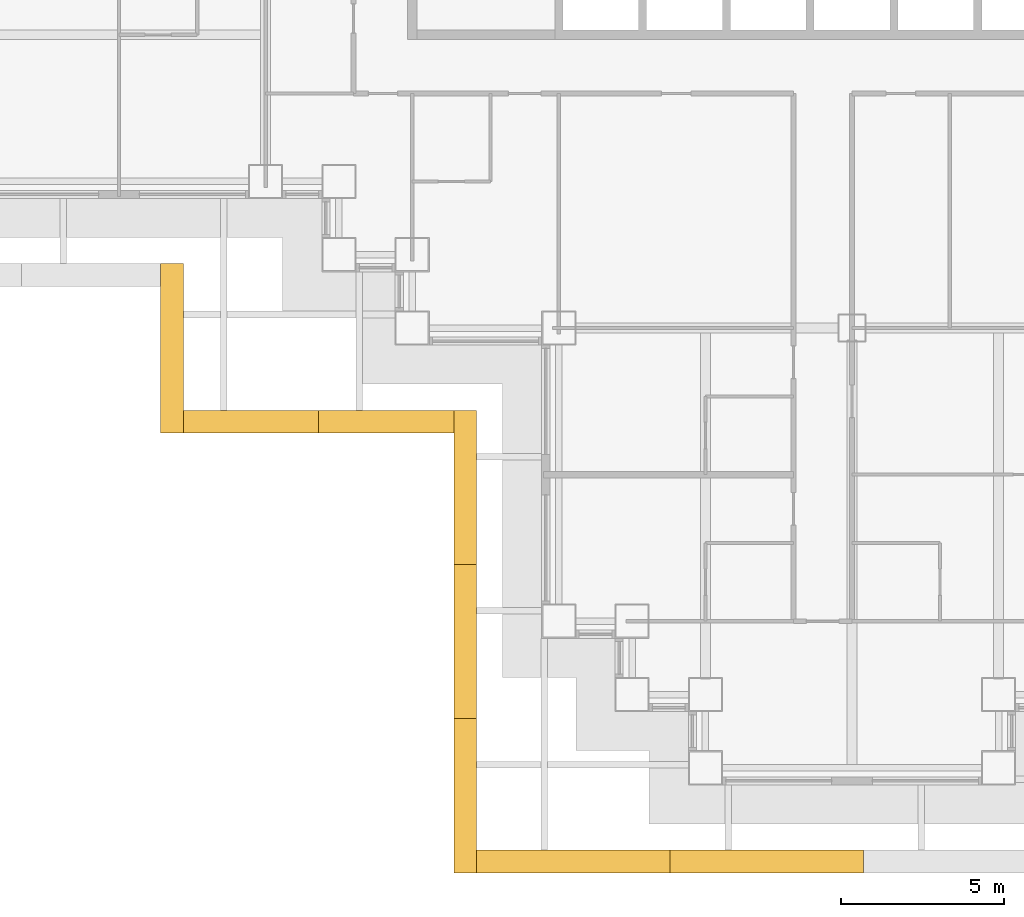
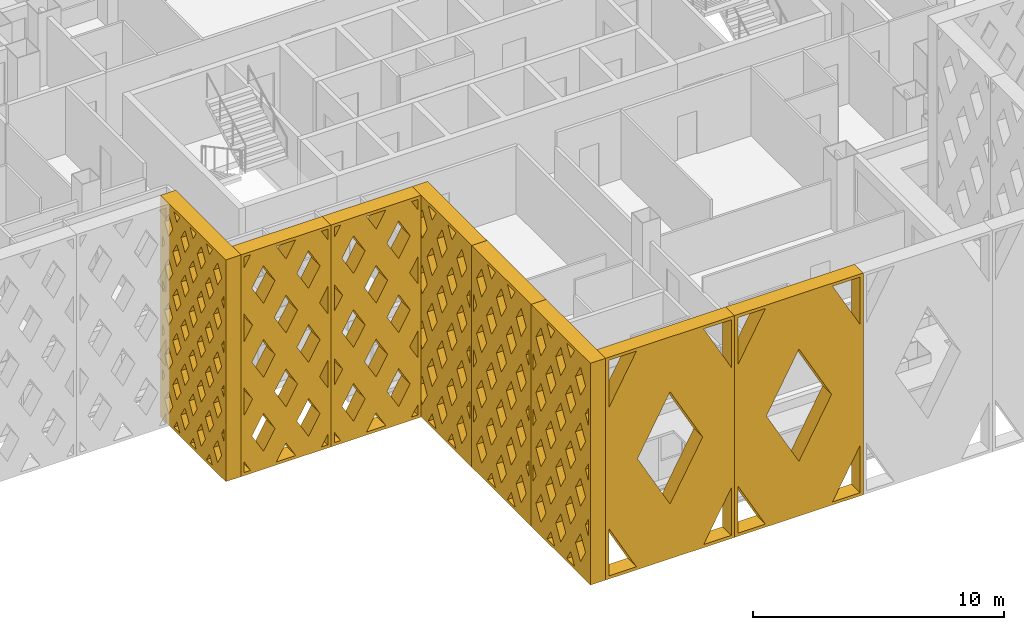
# One storey, part 13 of 19: 8 shading devices.
"""IFC4 building model written with IfcOpenShell, lengths in metres."""

import ifcopenshell
import ifcopenshell.guid

model = None  # the IFC model being written
_history = None  # IfcOwnerHistory: only IFC2X3 demands one
_inside = {}  # id of a spatial element -> (the spatial element, [elements in it])
_under = {}  # id of a project, library or spatial element -> (it, [spatial elements below it])
_declared = {}  # id of a project -> (the project, [libraries it declares])
_typed = {}  # id of a type object -> (the type object, [elements of that type])
_made_of = {}  # id of a material, layer set ... -> (it, [elements and type objects made of it])


def new_model(schema):
    """Start an empty IFC model of exactly this schema.

    Asked for "IFC4X3", IfcOpenShell would pick the latest addendum, in which some entities
    have other attributes; the version numbers below select the first issue.
    IFC2X3 requires an IfcOwnerHistory on every rooted entity: one is made here for all.
    """
    global model, _history
    if schema == "IFC4X3":
        model = ifcopenshell.file(schema_version=(4, 3, 0, 0))
    else:
        model = ifcopenshell.file(schema=schema)
    _inside.clear()
    _under.clear()
    _declared.clear()
    _typed.clear()
    _made_of.clear()
    _history = None
    if model.schema == "IFC2X3":
        org = make("IfcOrganization", Name="unknown")
        user = make(
            "IfcPersonAndOrganization",
            ThePerson=make("IfcPerson", FamilyName="unknown"),
            TheOrganization=org,
        )
        app = make(
            "IfcApplication",
            ApplicationDeveloper=org,
            Version="unknown",
            ApplicationFullName="unknown",
            ApplicationIdentifier="unknown",
        )
        _history = make(
            "IfcOwnerHistory",
            OwningUser=user,
            OwningApplication=app,
            ChangeAction="ADDED",
            CreationDate=0,
        )
    return model


def make(cls, **values):
    """One entity of the class cls with the attributes given. An attribute that is None is left unset."""
    return model.create_entity(
        cls, **{name: value for name, value in values.items() if value is not None}
    )


def rooted(cls, **values):
    """An entity with a GlobalId (a new one), such as an element, a storey or a relation."""
    return make(cls, GlobalId=ifcopenshell.guid.new(), OwnerHistory=_history, **values)


def si_unit(unit_type, name, prefix=None):
    """IfcSIUnit, for example si_unit("LENGTHUNIT", "METRE", prefix="MILLI")."""
    return make("IfcSIUnit", UnitType=unit_type, Prefix=prefix, Name=name)


def assignment(units):
    """IfcUnitAssignment: the units of a project."""
    return None if units is None else make("IfcUnitAssignment", Units=units)


def point(xyz):
    """IfcCartesianPoint."""
    return None if xyz is None else make("IfcCartesianPoint", Coordinates=xyz)


def direction(xyz):
    """IfcDirection."""
    return None if xyz is None else make("IfcDirection", DirectionRatios=xyz)


def frame(location, z_axis=None, x_axis=None):
    """IfcAxis2Placement3D, a coordinate frame: its origin and axes. An axis left out is left unset."""
    return make(
        "IfcAxis2Placement3D",
        Location=point(location),
        Axis=direction(z_axis),
        RefDirection=direction(x_axis),
    )


def origin():
    """The frame at (0, 0, 0) with its axes left unset."""
    return frame((0.0, 0.0, 0.0))


def place(relative_to, where):
    """IfcLocalPlacement: puts the frame where relative to a parent placement (None: the world)."""
    return make(
        "IfcLocalPlacement", PlacementRelTo=relative_to, RelativePlacement=where
    )


def context(
    kind, dimensions, precision=None, world=None, true_north=None, identifier=None
):
    """IfcGeometricRepresentationContext, for example the 3D "Model" context."""
    return make(
        "IfcGeometricRepresentationContext",
        ContextIdentifier=identifier,
        ContextType=kind,
        CoordinateSpaceDimension=dimensions,
        Precision=precision,
        WorldCoordinateSystem=world,
        TrueNorth=true_north,
    )


def subcontext(parent, identifier, kind, view, scale=None):
    """IfcGeometricRepresentationSubContext, for example "Body" below "Model"."""
    return make(
        "IfcGeometricRepresentationSubContext",
        ContextIdentifier=identifier,
        ContextType=kind,
        ParentContext=parent,
        TargetScale=scale,
        TargetView=view,
    )


def project(units=None, contexts=None):
    """IfcProject with its units and contexts."""
    return rooted(
        "IfcProject",
        Name="project",
        RepresentationContexts=contexts,
        UnitsInContext=assignment(units),
    )


def spatial(cls, under=None, at=None, **own):
    """A site, building, storey or space (cls), placed at a placement, below another one or the project."""
    s = rooted(cls, ObjectPlacement=at, **own)
    if under is not None:
        _under.setdefault(under.id(), (under, []))[1].append(s)
    return s


def polyline(points):
    """IfcPolyline through the points."""
    return make("IfcPolyline", Points=[point(p) for p in points])


def outline(outer, holes=None, kind="AREA"):
    """IfcArbitraryClosedProfileDef: a profile drawn as a closed curve; with holes, ...WithVoids."""
    if holes is None:
        return make("IfcArbitraryClosedProfileDef", ProfileType=kind, OuterCurve=outer)
    return make(
        "IfcArbitraryProfileDefWithVoids",
        ProfileType=kind,
        OuterCurve=outer,
        InnerCurves=holes,
    )


def extrude(swept, where, along, depth):
    """IfcExtrudedAreaSolid: the profile swept, set in the frame where, extruded along a direction by depth."""
    return make(
        "IfcExtrudedAreaSolid",
        SweptArea=swept,
        Position=where,
        ExtrudedDirection=direction(along),
        Depth=depth,
    )


def shape(context_of_items, identifier, shape_type, items):
    """IfcShapeRepresentation: the items that make up one representation, for example the "Body"."""
    return make(
        "IfcShapeRepresentation",
        ContextOfItems=context_of_items,
        RepresentationIdentifier=identifier,
        RepresentationType=shape_type,
        Items=items,
    )


def material(Name=None, Category=None):
    """IfcMaterial."""
    return make("IfcMaterial", Name=Name, Category=Category)


def made_of(thing, what):
    """Note that an element or type object is made of a material, layer set ...; save() writes the relation."""
    if what is not None:
        _made_of.setdefault(what.id(), (what, []))[1].append(thing)
    return thing


def type_object(cls, material=None, **own):
    """A type object (cls), such as IfcWallType, which elements share."""
    return made_of(rooted(cls, **own), material)


def element(
    cls,
    number,
    at=None,
    inside=None,
    cuts=None,
    type_object=None,
    material=None,
    context=None,
    identifier="Body",
    shape_type=None,
    held_by="IfcProductDefinitionShape",
    body=None,
    shapes=None,
    **own,
):
    """One element of the class cls, such as IfcWall. Its Tag is "e" and its number.

    at: its placement. inside: the storey or other place that contains it. cuts: it is an
    opening in that element (IfcRelVoidsElement). A single representation is given by context,
    identifier, shape_type and body (its items); several are given by shapes. held_by: the class
    of the entity that holds the representations. save() writes the other relations.
    """
    e = rooted(cls, Tag="e%d" % number, ObjectPlacement=at, **own)
    if body is not None:
        shapes = [shape(context, identifier, shape_type, body)]
    if shapes is not None:
        e.Representation = make(held_by, Representations=shapes)
    if inside is not None:
        _inside.setdefault(inside.id(), (inside, []))[1].append(e)
    if cuts is not None:
        rooted(
            "IfcRelVoidsElement", RelatingBuildingElement=cuts, RelatedOpeningElement=e
        )
    if type_object is not None:
        _typed.setdefault(type_object.id(), (type_object, []))[1].append(e)
    return made_of(e, material)


def aggregate(whole, parts):
    """IfcRelAggregates: a whole, such as a stair, and the parts it consists of."""
    return rooted("IfcRelAggregates", RelatingObject=whole, RelatedObjects=parts)


def save(model, path):
    """Write the relations noted so far, then the file.

    IfcRelAggregates (storeys below a building ...), IfcRelContainedInSpatialStructure (elements
    in a storey), IfcRelDefinesByType, IfcRelAssociatesMaterial and IfcRelDeclares: one each for
    every whole, place, type object, material and project.
    """
    for whole, parts in _under.values():
        aggregate(whole, parts)
    for where, things in _inside.values():
        rooted(
            "IfcRelContainedInSpatialStructure",
            RelatedElements=things,
            RelatingStructure=where,
        )
    for kind, things in _typed.values():
        rooted("IfcRelDefinesByType", RelatedObjects=things, RelatingType=kind)
    for what, things in _made_of.values():
        rooted("IfcRelAssociatesMaterial", RelatedObjects=things, RelatingMaterial=what)
    for by, libraries in _declared.values():
        rooted("IfcRelDeclares", RelatingContext=by, RelatedDefinitions=libraries)
    model.write(path)


model = new_model("IFC4")

# Units and contexts
model_context = context("Model", 3, precision=1e-05, world=origin(), true_north=direction((0.0, 1.0)))
body_context = subcontext(model_context, "Body", "Model", "MODEL_VIEW")
ifc_project = project(units=[si_unit("LENGTHUNIT", "METRE"), si_unit("AREAUNIT", "SQUARE_METRE"), si_unit("VOLUMEUNIT", "CUBIC_METRE"), si_unit("PLANEANGLEUNIT", "RADIAN"), si_unit("MASSUNIT", "GRAM", prefix="KILO")], contexts=[model_context])

# Site, building, storey
site_placement = place(None, origin())
site = spatial("IfcSite", under=ifc_project, at=site_placement, CompositionType="ELEMENT")
building_placement = place(site_placement, origin())
building = spatial("IfcBuilding", under=site, at=building_placement, Name="Caravel Reach Hotel and Residences", CompositionType="ELEMENT")
storey_placement = place(building_placement, frame((0.0, 0.0, 52.800048828125)))
storey = spatial("IfcBuildingStorey", under=building, at=storey_placement, Name="L11", CompositionType="ELEMENT", Elevation=52.800048828125)

# Shading devices
ifc_material_1 = material(Name="Black powder-coated aluminium", Category="aluminium")
shading_device_type_1 = type_object("IfcShadingDeviceType", Name="Diamond lattice screen panel 4150 x 10800", PredefinedType="USERDEFINED", material=ifc_material_1)
shading_device_1_placement = place(storey_placement, frame((10.97509765625, 10.97509765625, 0.0), z_axis=(0.0, -1.0, 0.0), x_axis=(1.0, 0.0, 0.0)))
element("IfcShadingDevice", 1, at=shading_device_1_placement, inside=storey, type_object=shading_device_type_1, Name="Lattice screen L11-L13 20.1", ObjectType="SCREEN", PredefinedType="USERDEFINED", context=body_context, shape_type="SweptSolid", body=[
    extrude(outline(polyline([(0.0, 0.0), (4.14990234375, 0.0), (4.14990234375, 10.800048828125), (0.0, 10.800048828125), (0.0, 0.0)]), holes=[polyline([(0.445556640625, 0.14990234375), (0.14990234375, 0.662841796875), (0.14990234375, 0.14990234375), (0.445556640625, 0.14990234375)]), polyline([(0.531982421875, 3.60009765625), (0.14990234375, 4.2626953125), (0.14990234375, 2.937255859375), (0.531982421875, 3.60009765625)]), polyline([(0.531982421875, 7.199951171875), (0.14990234375, 7.86279296875), (0.14990234375, 6.537353515625), (0.531982421875, 7.199951171875)]), polyline([(0.14990234375, 10.13720703125), (0.445556640625, 10.64990234375), (0.14990234375, 10.64990234375), (0.14990234375, 10.13720703125)]), polyline([(1.03759765625, 2.722900390625), (0.505615234375, 1.800048828125), (1.03759765625, 0.876953125), (1.569580078125, 1.800048828125), (1.03759765625, 2.722900390625)]), polyline([(1.03759765625, 6.322998046875), (0.505615234375, 5.39990234375), (1.03759765625, 4.47705078125), (1.569580078125, 5.39990234375), (1.03759765625, 6.322998046875)]), polyline([(1.03759765625, 9.9228515625), (0.505615234375, 9.0), (1.03759765625, 8.0771484375), (1.569580078125, 9.0), (1.03759765625, 9.9228515625)]), polyline([(2.074951171875, 0.9228515625), (1.62939453125, 0.14990234375), (2.5205078125, 0.14990234375), (2.074951171875, 0.9228515625)]), polyline([(2.074951171875, 4.52294921875), (1.54296875, 3.60009765625), (2.074951171875, 2.677001953125), (2.60693359375, 3.60009765625), (2.074951171875, 4.52294921875)]), polyline([(2.074951171875, 8.123046875), (1.54296875, 7.199951171875), (2.074951171875, 6.277099609375), (2.60693359375, 7.199951171875), (2.074951171875, 8.123046875)]), polyline([(2.074951171875, 9.876953125), (2.5205078125, 10.64990234375), (1.62939453125, 10.64990234375), (2.074951171875, 9.876953125)]), polyline([(3.112548828125, 2.722900390625), (2.58056640625, 1.800048828125), (3.112548828125, 0.876953125), (3.64453125, 1.800048828125), (3.112548828125, 2.722900390625)]), polyline([(3.112548828125, 6.322998046875), (2.58056640625, 5.39990234375), (3.112548828125, 4.47705078125), (3.64453125, 5.39990234375), (3.112548828125, 6.322998046875)]), polyline([(3.112548828125, 9.9228515625), (2.58056640625, 9.0), (3.112548828125, 8.0771484375), (3.64453125, 9.0), (3.112548828125, 9.9228515625)]), polyline([(4.0, 0.662841796875), (3.70458984375, 0.14990234375), (4.0, 0.14990234375), (4.0, 0.662841796875)]), polyline([(3.617919921875, 3.60009765625), (4.0, 2.937255859375), (4.0, 4.2626953125), (3.617919921875, 3.60009765625)]), polyline([(3.617919921875, 7.199951171875), (4.0, 6.537353515625), (4.0, 7.86279296875), (3.617919921875, 7.199951171875)]), polyline([(3.70458984375, 10.64990234375), (4.0, 10.13720703125), (4.0, 10.64990234375), (3.70458984375, 10.64990234375)])]), origin(), (0.0, 0.0, 1.0), 0.7001953125),
])
shading_device_2_placement = place(storey_placement, frame((15.125, 10.97509765625, 0.0), z_axis=(0.0, -1.0, 0.0), x_axis=(1.0, 0.0, 0.0)))
element("IfcShadingDevice", 2, at=shading_device_2_placement, inside=storey, type_object=shading_device_type_1, Name="Lattice screen L11-L13 20.2", ObjectType="SCREEN", PredefinedType="USERDEFINED", context=body_context, shape_type="SweptSolid", body=[
    extrude(outline(polyline([(0.0, 0.0), (4.14990234375, 0.0), (4.14990234375, 10.800048828125), (0.0, 10.800048828125), (0.0, 0.0)]), holes=[polyline([(0.445556640625, 0.14990234375), (0.14990234375, 0.662841796875), (0.14990234375, 0.14990234375), (0.445556640625, 0.14990234375)]), polyline([(0.531982421875, 3.60009765625), (0.14990234375, 4.2626953125), (0.14990234375, 2.937255859375), (0.531982421875, 3.60009765625)]), polyline([(0.531982421875, 7.199951171875), (0.14990234375, 7.86279296875), (0.14990234375, 6.537353515625), (0.531982421875, 7.199951171875)]), polyline([(0.14990234375, 10.13720703125), (0.445556640625, 10.64990234375), (0.14990234375, 10.64990234375), (0.14990234375, 10.13720703125)]), polyline([(1.03759765625, 2.722900390625), (0.505615234375, 1.800048828125), (1.03759765625, 0.876953125), (1.569580078125, 1.800048828125), (1.03759765625, 2.722900390625)]), polyline([(1.03759765625, 6.322998046875), (0.505615234375, 5.39990234375), (1.03759765625, 4.47705078125), (1.569580078125, 5.39990234375), (1.03759765625, 6.322998046875)]), polyline([(1.03759765625, 9.9228515625), (0.505615234375, 9.0), (1.03759765625, 8.0771484375), (1.569580078125, 9.0), (1.03759765625, 9.9228515625)]), polyline([(2.074951171875, 0.9228515625), (1.62939453125, 0.14990234375), (2.5205078125, 0.14990234375), (2.074951171875, 0.9228515625)]), polyline([(2.074951171875, 4.52294921875), (1.54296875, 3.60009765625), (2.074951171875, 2.677001953125), (2.60693359375, 3.60009765625), (2.074951171875, 4.52294921875)]), polyline([(2.074951171875, 8.123046875), (1.54296875, 7.199951171875), (2.074951171875, 6.277099609375), (2.60693359375, 7.199951171875), (2.074951171875, 8.123046875)]), polyline([(2.074951171875, 9.876953125), (2.5205078125, 10.64990234375), (1.62939453125, 10.64990234375), (2.074951171875, 9.876953125)]), polyline([(3.112548828125, 2.722900390625), (2.58056640625, 1.800048828125), (3.112548828125, 0.876953125), (3.64453125, 1.800048828125), (3.112548828125, 2.722900390625)]), polyline([(3.112548828125, 6.322998046875), (2.58056640625, 5.39990234375), (3.112548828125, 4.47705078125), (3.64453125, 5.39990234375), (3.112548828125, 6.322998046875)]), polyline([(3.112548828125, 9.9228515625), (2.58056640625, 9.0), (3.112548828125, 8.0771484375), (3.64453125, 9.0), (3.112548828125, 9.9228515625)]), polyline([(4.0, 0.662841796875), (3.70458984375, 0.14990234375), (4.0, 0.14990234375), (4.0, 0.662841796875)]), polyline([(3.617919921875, 3.60009765625), (4.0, 2.937255859375), (4.0, 4.2626953125), (3.617919921875, 3.60009765625)]), polyline([(3.617919921875, 7.199951171875), (4.0, 6.537353515625), (4.0, 7.86279296875), (3.617919921875, 7.199951171875)]), polyline([(3.70458984375, 10.64990234375), (4.0, 10.13720703125), (4.0, 10.64990234375), (3.70458984375, 10.64990234375)])]), origin(), (0.0, 0.0, 1.0), 0.7001953125),
])
ifc_material_2 = material(Name="Black powder-coated aluminium", Category="aluminium")
shading_device_type_2 = type_object("IfcShadingDeviceType", Name="Diamond lattice screen panel 4733 x 10800", PredefinedType="USERDEFINED", material=ifc_material_2)
shading_device_3_placement = place(storey_placement, frame((19.97509765625, 10.97509765625, 0.0), z_axis=(-1.0, 0.0, 0.0), x_axis=(0.0, -1.0, 0.0)))
element("IfcShadingDevice", 3, at=shading_device_3_placement, inside=storey, type_object=shading_device_type_2, Name="Lattice screen L11-L13 1.1", ObjectType="SCREEN", PredefinedType="USERDEFINED", context=body_context, shape_type="SweptSolid", body=[
    extrude(outline(polyline([(0.0, 0.0), (4.7333984375, 0.0), (4.7333984375, 10.800048828125), (0.0, 10.800048828125), (0.0, 0.0)]), holes=[polyline([(0.4013671875, 2.699951171875), (0.14990234375, 3.130126953125), (0.14990234375, 2.269775390625), (0.4013671875, 2.699951171875)]), polyline([(0.4013671875, 5.39990234375), (0.14990234375, 5.830078125), (0.14990234375, 4.969970703125), (0.4013671875, 5.39990234375)]), polyline([(0.4013671875, 8.10009765625), (0.14990234375, 8.530029296875), (0.14990234375, 7.669921875), (0.4013671875, 8.10009765625)]), polyline([(0.788818359375, 2.036865234375), (0.387451171875, 1.35009765625), (0.788818359375, 0.6630859375), (1.190185546875, 1.35009765625), (0.788818359375, 2.036865234375)]), polyline([(0.788818359375, 4.73681640625), (0.387451171875, 4.050048828125), (0.788818359375, 3.36328125), (1.190185546875, 4.050048828125), (0.788818359375, 4.73681640625)]), polyline([(0.788818359375, 7.436767578125), (0.387451171875, 6.75), (0.788818359375, 6.063232421875), (1.190185546875, 6.75), (0.788818359375, 7.436767578125)]), polyline([(0.788818359375, 10.13671875), (0.387451171875, 9.449951171875), (0.788818359375, 8.76318359375), (1.190185546875, 9.449951171875), (0.788818359375, 10.13671875)]), polyline([(1.577880859375, 0.686767578125), (1.26416015625, 0.14990234375), (1.8916015625, 0.14990234375), (1.577880859375, 0.686767578125)]), polyline([(1.577880859375, 3.38671875), (1.176513671875, 2.699951171875), (1.577880859375, 2.01318359375), (1.979248046875, 2.699951171875), (1.577880859375, 3.38671875)]), polyline([(1.577880859375, 6.0869140625), (1.176513671875, 5.39990234375), (1.577880859375, 4.713134765625), (1.979248046875, 5.39990234375), (1.577880859375, 6.0869140625)]), polyline([(1.577880859375, 8.786865234375), (1.176513671875, 8.10009765625), (1.577880859375, 7.4130859375), (1.979248046875, 8.10009765625), (1.577880859375, 8.786865234375)]), polyline([(1.577880859375, 10.11328125), (1.8916015625, 10.64990234375), (1.26416015625, 10.64990234375), (1.577880859375, 10.11328125)]), polyline([(2.36669921875, 2.036865234375), (1.96533203125, 1.35009765625), (2.36669921875, 0.6630859375), (2.76806640625, 1.35009765625), (2.36669921875, 2.036865234375)]), polyline([(2.36669921875, 4.73681640625), (1.96533203125, 4.050048828125), (2.36669921875, 3.36328125), (2.76806640625, 4.050048828125), (2.36669921875, 4.73681640625)]), polyline([(2.36669921875, 7.436767578125), (1.96533203125, 6.75), (2.36669921875, 6.063232421875), (2.76806640625, 6.75), (2.36669921875, 7.436767578125)]), polyline([(2.36669921875, 10.13671875), (1.96533203125, 9.449951171875), (2.36669921875, 8.76318359375), (2.76806640625, 9.449951171875), (2.36669921875, 10.13671875)]), polyline([(3.155517578125, 0.686767578125), (2.841796875, 0.14990234375), (3.46923828125, 0.14990234375), (3.155517578125, 0.686767578125)]), polyline([(3.155517578125, 3.38671875), (2.754150390625, 2.699951171875), (3.155517578125, 2.01318359375), (3.556884765625, 2.699951171875), (3.155517578125, 3.38671875)]), polyline([(3.155517578125, 6.0869140625), (2.754150390625, 5.39990234375), (3.155517578125, 4.713134765625), (3.556884765625, 5.39990234375), (3.155517578125, 6.0869140625)]), polyline([(3.155517578125, 8.786865234375), (2.754150390625, 8.10009765625), (3.155517578125, 7.4130859375), (3.556884765625, 8.10009765625), (3.155517578125, 8.786865234375)]), polyline([(3.155517578125, 10.11328125), (3.46923828125, 10.64990234375), (2.841796875, 10.64990234375), (3.155517578125, 10.11328125)]), polyline([(3.9443359375, 2.036865234375), (3.54296875, 1.35009765625), (3.9443359375, 0.6630859375), (4.345703125, 1.35009765625), (3.9443359375, 2.036865234375)]), polyline([(3.9443359375, 4.73681640625), (3.54296875, 4.050048828125), (3.9443359375, 3.36328125), (4.345703125, 4.050048828125), (3.9443359375, 4.73681640625)]), polyline([(3.9443359375, 7.436767578125), (3.54296875, 6.75), (3.9443359375, 6.063232421875), (4.345703125, 6.75), (3.9443359375, 7.436767578125)]), polyline([(3.9443359375, 10.13671875), (3.54296875, 9.449951171875), (3.9443359375, 8.76318359375), (4.345703125, 9.449951171875), (3.9443359375, 10.13671875)]), polyline([(4.33203125, 2.699951171875), (4.583251953125, 2.269775390625), (4.583251953125, 3.130126953125), (4.33203125, 2.699951171875)]), polyline([(4.33203125, 5.39990234375), (4.583251953125, 4.969970703125), (4.583251953125, 5.830078125), (4.33203125, 5.39990234375)]), polyline([(4.33203125, 8.10009765625), (4.583251953125, 7.669921875), (4.583251953125, 8.530029296875), (4.33203125, 8.10009765625)])]), origin(), (0.0, 0.0, 1.0), 0.7001953125),
])
shading_device_4_placement = place(storey_placement, frame((19.97509765625, 6.24169921875, 0.0), z_axis=(-1.0, 0.0, 0.0), x_axis=(0.0, -1.0, 0.0)))
element("IfcShadingDevice", 4, at=shading_device_4_placement, inside=storey, type_object=shading_device_type_2, Name="Lattice screen L11-L13 1.2", ObjectType="SCREEN", PredefinedType="USERDEFINED", context=body_context, shape_type="SweptSolid", body=[
    extrude(outline(polyline([(0.0, 0.0), (4.7333984375, 0.0), (4.7333984375, 10.800048828125), (0.0, 10.800048828125), (0.0, 0.0)]), holes=[polyline([(0.4013671875, 2.699951171875), (0.14990234375, 3.130126953125), (0.14990234375, 2.269775390625), (0.4013671875, 2.699951171875)]), polyline([(0.4013671875, 5.39990234375), (0.14990234375, 5.830078125), (0.14990234375, 4.969970703125), (0.4013671875, 5.39990234375)]), polyline([(0.4013671875, 8.10009765625), (0.14990234375, 8.530029296875), (0.14990234375, 7.669921875), (0.4013671875, 8.10009765625)]), polyline([(0.788818359375, 2.036865234375), (0.387451171875, 1.35009765625), (0.788818359375, 0.6630859375), (1.190185546875, 1.35009765625), (0.788818359375, 2.036865234375)]), polyline([(0.788818359375, 4.73681640625), (0.387451171875, 4.050048828125), (0.788818359375, 3.36328125), (1.190185546875, 4.050048828125), (0.788818359375, 4.73681640625)]), polyline([(0.788818359375, 7.436767578125), (0.387451171875, 6.75), (0.788818359375, 6.063232421875), (1.190185546875, 6.75), (0.788818359375, 7.436767578125)]), polyline([(0.788818359375, 10.13671875), (0.387451171875, 9.449951171875), (0.788818359375, 8.76318359375), (1.190185546875, 9.449951171875), (0.788818359375, 10.13671875)]), polyline([(1.577880859375, 0.686767578125), (1.26416015625, 0.14990234375), (1.8916015625, 0.14990234375), (1.577880859375, 0.686767578125)]), polyline([(1.577880859375, 3.38671875), (1.176513671875, 2.699951171875), (1.577880859375, 2.01318359375), (1.979248046875, 2.699951171875), (1.577880859375, 3.38671875)]), polyline([(1.577880859375, 6.0869140625), (1.176513671875, 5.39990234375), (1.577880859375, 4.713134765625), (1.979248046875, 5.39990234375), (1.577880859375, 6.0869140625)]), polyline([(1.577880859375, 8.786865234375), (1.176513671875, 8.10009765625), (1.577880859375, 7.4130859375), (1.979248046875, 8.10009765625), (1.577880859375, 8.786865234375)]), polyline([(1.577880859375, 10.11328125), (1.8916015625, 10.64990234375), (1.26416015625, 10.64990234375), (1.577880859375, 10.11328125)]), polyline([(2.36669921875, 2.036865234375), (1.96533203125, 1.35009765625), (2.36669921875, 0.6630859375), (2.76806640625, 1.35009765625), (2.36669921875, 2.036865234375)]), polyline([(2.36669921875, 4.73681640625), (1.96533203125, 4.050048828125), (2.36669921875, 3.36328125), (2.76806640625, 4.050048828125), (2.36669921875, 4.73681640625)]), polyline([(2.36669921875, 7.436767578125), (1.96533203125, 6.75), (2.36669921875, 6.063232421875), (2.76806640625, 6.75), (2.36669921875, 7.436767578125)]), polyline([(2.36669921875, 10.13671875), (1.96533203125, 9.449951171875), (2.36669921875, 8.76318359375), (2.76806640625, 9.449951171875), (2.36669921875, 10.13671875)]), polyline([(3.155517578125, 0.686767578125), (2.841796875, 0.14990234375), (3.46923828125, 0.14990234375), (3.155517578125, 0.686767578125)]), polyline([(3.155517578125, 3.38671875), (2.754150390625, 2.699951171875), (3.155517578125, 2.01318359375), (3.556884765625, 2.699951171875), (3.155517578125, 3.38671875)]), polyline([(3.155517578125, 6.0869140625), (2.754150390625, 5.39990234375), (3.155517578125, 4.713134765625), (3.556884765625, 5.39990234375), (3.155517578125, 6.0869140625)]), polyline([(3.155517578125, 8.786865234375), (2.754150390625, 8.10009765625), (3.155517578125, 7.4130859375), (3.556884765625, 8.10009765625), (3.155517578125, 8.786865234375)]), polyline([(3.155517578125, 10.11328125), (3.46923828125, 10.64990234375), (2.841796875, 10.64990234375), (3.155517578125, 10.11328125)]), polyline([(3.9443359375, 2.036865234375), (3.54296875, 1.35009765625), (3.9443359375, 0.6630859375), (4.345703125, 1.35009765625), (3.9443359375, 2.036865234375)]), polyline([(3.9443359375, 4.73681640625), (3.54296875, 4.050048828125), (3.9443359375, 3.36328125), (4.345703125, 4.050048828125), (3.9443359375, 4.73681640625)]), polyline([(3.9443359375, 7.436767578125), (3.54296875, 6.75), (3.9443359375, 6.063232421875), (4.345703125, 6.75), (3.9443359375, 7.436767578125)]), polyline([(3.9443359375, 10.13671875), (3.54296875, 9.449951171875), (3.9443359375, 8.76318359375), (4.345703125, 9.449951171875), (3.9443359375, 10.13671875)]), polyline([(4.33203125, 2.699951171875), (4.583251953125, 2.269775390625), (4.583251953125, 3.130126953125), (4.33203125, 2.699951171875)]), polyline([(4.33203125, 5.39990234375), (4.583251953125, 4.969970703125), (4.583251953125, 5.830078125), (4.33203125, 5.39990234375)]), polyline([(4.33203125, 8.10009765625), (4.583251953125, 7.669921875), (4.583251953125, 8.530029296875), (4.33203125, 8.10009765625)])]), origin(), (0.0, 0.0, 1.0), 0.7001953125),
])
shading_device_5_placement = place(storey_placement, frame((19.97509765625, 1.50830078125, 0.0), z_axis=(-1.0, 0.0, 0.0), x_axis=(0.0, -1.0, 0.0)))
element("IfcShadingDevice", 5, at=shading_device_5_placement, inside=storey, type_object=shading_device_type_2, Name="Lattice screen L11-L13 1.3", ObjectType="SCREEN", PredefinedType="USERDEFINED", context=body_context, shape_type="SweptSolid", body=[
    extrude(outline(polyline([(0.0, 0.0), (4.7333984375, 0.0), (4.7333984375, 10.800048828125), (0.0, 10.800048828125), (0.0, 0.0)]), holes=[polyline([(0.4013671875, 2.699951171875), (0.14990234375, 3.130126953125), (0.14990234375, 2.269775390625), (0.4013671875, 2.699951171875)]), polyline([(0.4013671875, 5.39990234375), (0.14990234375, 5.830078125), (0.14990234375, 4.969970703125), (0.4013671875, 5.39990234375)]), polyline([(0.4013671875, 8.10009765625), (0.14990234375, 8.530029296875), (0.14990234375, 7.669921875), (0.4013671875, 8.10009765625)]), polyline([(0.788818359375, 2.036865234375), (0.387451171875, 1.35009765625), (0.788818359375, 0.6630859375), (1.190185546875, 1.35009765625), (0.788818359375, 2.036865234375)]), polyline([(0.788818359375, 4.73681640625), (0.387451171875, 4.050048828125), (0.788818359375, 3.36328125), (1.190185546875, 4.050048828125), (0.788818359375, 4.73681640625)]), polyline([(0.788818359375, 7.436767578125), (0.387451171875, 6.75), (0.788818359375, 6.063232421875), (1.190185546875, 6.75), (0.788818359375, 7.436767578125)]), polyline([(0.788818359375, 10.13671875), (0.387451171875, 9.449951171875), (0.788818359375, 8.76318359375), (1.190185546875, 9.449951171875), (0.788818359375, 10.13671875)]), polyline([(1.577880859375, 0.686767578125), (1.26416015625, 0.14990234375), (1.8916015625, 0.14990234375), (1.577880859375, 0.686767578125)]), polyline([(1.577880859375, 3.38671875), (1.176513671875, 2.699951171875), (1.577880859375, 2.01318359375), (1.979248046875, 2.699951171875), (1.577880859375, 3.38671875)]), polyline([(1.577880859375, 6.0869140625), (1.176513671875, 5.39990234375), (1.577880859375, 4.713134765625), (1.979248046875, 5.39990234375), (1.577880859375, 6.0869140625)]), polyline([(1.577880859375, 8.786865234375), (1.176513671875, 8.10009765625), (1.577880859375, 7.4130859375), (1.979248046875, 8.10009765625), (1.577880859375, 8.786865234375)]), polyline([(1.577880859375, 10.11328125), (1.8916015625, 10.64990234375), (1.26416015625, 10.64990234375), (1.577880859375, 10.11328125)]), polyline([(2.36669921875, 2.036865234375), (1.96533203125, 1.35009765625), (2.36669921875, 0.6630859375), (2.76806640625, 1.35009765625), (2.36669921875, 2.036865234375)]), polyline([(2.36669921875, 4.73681640625), (1.96533203125, 4.050048828125), (2.36669921875, 3.36328125), (2.76806640625, 4.050048828125), (2.36669921875, 4.73681640625)]), polyline([(2.36669921875, 7.436767578125), (1.96533203125, 6.75), (2.36669921875, 6.063232421875), (2.76806640625, 6.75), (2.36669921875, 7.436767578125)]), polyline([(2.36669921875, 10.13671875), (1.96533203125, 9.449951171875), (2.36669921875, 8.76318359375), (2.76806640625, 9.449951171875), (2.36669921875, 10.13671875)]), polyline([(3.155517578125, 0.686767578125), (2.841796875, 0.14990234375), (3.46923828125, 0.14990234375), (3.155517578125, 0.686767578125)]), polyline([(3.155517578125, 3.38671875), (2.754150390625, 2.699951171875), (3.155517578125, 2.01318359375), (3.556884765625, 2.699951171875), (3.155517578125, 3.38671875)]), polyline([(3.155517578125, 6.0869140625), (2.754150390625, 5.39990234375), (3.155517578125, 4.713134765625), (3.556884765625, 5.39990234375), (3.155517578125, 6.0869140625)]), polyline([(3.155517578125, 8.786865234375), (2.754150390625, 8.10009765625), (3.155517578125, 7.4130859375), (3.556884765625, 8.10009765625), (3.155517578125, 8.786865234375)]), polyline([(3.155517578125, 10.11328125), (3.46923828125, 10.64990234375), (2.841796875, 10.64990234375), (3.155517578125, 10.11328125)]), polyline([(3.9443359375, 2.036865234375), (3.54296875, 1.35009765625), (3.9443359375, 0.6630859375), (4.345703125, 1.35009765625), (3.9443359375, 2.036865234375)]), polyline([(3.9443359375, 4.73681640625), (3.54296875, 4.050048828125), (3.9443359375, 3.36328125), (4.345703125, 4.050048828125), (3.9443359375, 4.73681640625)]), polyline([(3.9443359375, 7.436767578125), (3.54296875, 6.75), (3.9443359375, 6.063232421875), (4.345703125, 6.75), (3.9443359375, 7.436767578125)]), polyline([(3.9443359375, 10.13671875), (3.54296875, 9.449951171875), (3.9443359375, 8.76318359375), (4.345703125, 9.449951171875), (3.9443359375, 10.13671875)]), polyline([(4.33203125, 2.699951171875), (4.583251953125, 2.269775390625), (4.583251953125, 3.130126953125), (4.33203125, 2.699951171875)]), polyline([(4.33203125, 5.39990234375), (4.583251953125, 4.969970703125), (4.583251953125, 5.830078125), (4.33203125, 5.39990234375)]), polyline([(4.33203125, 8.10009765625), (4.583251953125, 7.669921875), (4.583251953125, 8.530029296875), (4.33203125, 8.10009765625)])]), origin(), (0.0, 0.0, 1.0), 0.7001953125),
])
ifc_material_3 = material(Name="Black powder-coated aluminium", Category="aluminium")
shading_device_type_3 = type_object("IfcShadingDeviceType", Name="Diamond lattice screen panel 5200 x 10800", PredefinedType="USERDEFINED", material=ifc_material_3)
shading_device_6_placement = place(storey_placement, frame((10.97509765625, 15.47509765625, 0.0), z_axis=(-1.0, 0.0, 0.0), x_axis=(0.0, -1.0, 0.0)))
element("IfcShadingDevice", 6, at=shading_device_6_placement, inside=storey, type_object=shading_device_type_3, Name="Lattice screen L11-L13 19.1", ObjectType="SCREEN", PredefinedType="USERDEFINED", context=body_context, shape_type="SweptSolid", body=[
    extrude(outline(polyline([(0.0, 0.0), (5.199951171875, 0.0), (5.199951171875, 10.800048828125), (0.0, 10.800048828125), (0.0, 0.0)]), holes=[polyline([(0.3271484375, 2.159912109375), (0.14990234375, 2.454345703125), (0.14990234375, 1.86572265625), (0.3271484375, 2.159912109375)]), polyline([(0.3271484375, 4.320068359375), (0.14990234375, 4.6142578125), (0.14990234375, 4.025634765625), (0.3271484375, 4.320068359375)]), polyline([(0.3271484375, 6.47998046875), (0.14990234375, 6.774169921875), (0.14990234375, 6.185791015625), (0.3271484375, 6.47998046875)]), polyline([(0.3271484375, 8.639892578125), (0.14990234375, 8.934326171875), (0.14990234375, 8.345703125), (0.3271484375, 8.639892578125)]), polyline([(0.64990234375, 1.62353515625), (0.322998046875, 1.080078125), (0.64990234375, 0.536376953125), (0.97705078125, 1.080078125), (0.64990234375, 1.62353515625)]), polyline([(0.64990234375, 3.783447265625), (0.322998046875, 3.239990234375), (0.64990234375, 2.696533203125), (0.97705078125, 3.239990234375), (0.64990234375, 3.783447265625)]), polyline([(0.64990234375, 5.943603515625), (0.322998046875, 5.39990234375), (0.64990234375, 4.8564453125), (0.97705078125, 5.39990234375), (0.64990234375, 5.943603515625)]), polyline([(0.64990234375, 8.103515625), (0.322998046875, 7.56005859375), (0.64990234375, 7.016357421875), (0.97705078125, 7.56005859375), (0.64990234375, 8.103515625)]), polyline([(0.64990234375, 10.263427734375), (0.322998046875, 9.719970703125), (0.64990234375, 9.176513671875), (0.97705078125, 9.719970703125), (0.64990234375, 10.263427734375)]), polyline([(1.300048828125, 0.54345703125), (1.063232421875, 0.14990234375), (1.536865234375, 0.14990234375), (1.300048828125, 0.54345703125)]), polyline([(1.300048828125, 2.70361328125), (0.972900390625, 2.159912109375), (1.300048828125, 1.616455078125), (1.627197265625, 2.159912109375), (1.300048828125, 2.70361328125)]), polyline([(1.300048828125, 4.863525390625), (0.972900390625, 4.320068359375), (1.300048828125, 3.7763671875), (1.627197265625, 4.320068359375), (1.300048828125, 4.863525390625)]), polyline([(1.300048828125, 7.0234375), (0.972900390625, 6.47998046875), (1.300048828125, 5.9365234375), (1.627197265625, 6.47998046875), (1.300048828125, 7.0234375)]), polyline([(1.300048828125, 9.18359375), (0.972900390625, 8.639892578125), (1.300048828125, 8.096435546875), (1.627197265625, 8.639892578125), (1.300048828125, 9.18359375)]), polyline([(1.300048828125, 10.256591796875), (1.536865234375, 10.64990234375), (1.063232421875, 10.64990234375), (1.300048828125, 10.256591796875)]), polyline([(1.949951171875, 1.62353515625), (1.622802734375, 1.080078125), (1.949951171875, 0.536376953125), (2.277099609375, 1.080078125), (1.949951171875, 1.62353515625)]), polyline([(1.949951171875, 3.783447265625), (1.622802734375, 3.239990234375), (1.949951171875, 2.696533203125), (2.277099609375, 3.239990234375), (1.949951171875, 3.783447265625)]), polyline([(1.949951171875, 5.943603515625), (1.622802734375, 5.39990234375), (1.949951171875, 4.8564453125), (2.277099609375, 5.39990234375), (1.949951171875, 5.943603515625)]), polyline([(1.949951171875, 8.103515625), (1.622802734375, 7.56005859375), (1.949951171875, 7.016357421875), (2.277099609375, 7.56005859375), (1.949951171875, 8.103515625)]), polyline([(1.949951171875, 10.263427734375), (1.622802734375, 9.719970703125), (1.949951171875, 9.176513671875), (2.277099609375, 9.719970703125), (1.949951171875, 10.263427734375)]), polyline([(2.60009765625, 0.54345703125), (2.363037109375, 0.14990234375), (2.8369140625, 0.14990234375), (2.60009765625, 0.54345703125)]), polyline([(2.60009765625, 2.70361328125), (2.27294921875, 2.159912109375), (2.60009765625, 1.616455078125), (2.927001953125, 2.159912109375), (2.60009765625, 2.70361328125)]), polyline([(2.60009765625, 4.863525390625), (2.27294921875, 4.320068359375), (2.60009765625, 3.7763671875), (2.927001953125, 4.320068359375), (2.60009765625, 4.863525390625)]), polyline([(2.60009765625, 7.0234375), (2.27294921875, 6.47998046875), (2.60009765625, 5.9365234375), (2.927001953125, 6.47998046875), (2.60009765625, 7.0234375)]), polyline([(2.60009765625, 9.18359375), (2.27294921875, 8.639892578125), (2.60009765625, 8.096435546875), (2.927001953125, 8.639892578125), (2.60009765625, 9.18359375)]), polyline([(2.60009765625, 10.256591796875), (2.8369140625, 10.64990234375), (2.363037109375, 10.64990234375), (2.60009765625, 10.256591796875)]), polyline([(3.25, 1.62353515625), (2.9228515625, 1.080078125), (3.25, 0.536376953125), (3.5771484375, 1.080078125), (3.25, 1.62353515625)]), polyline([(3.25, 3.783447265625), (2.9228515625, 3.239990234375), (3.25, 2.696533203125), (3.5771484375, 3.239990234375), (3.25, 3.783447265625)]), polyline([(3.25, 5.943603515625), (2.9228515625, 5.39990234375), (3.25, 4.8564453125), (3.5771484375, 5.39990234375), (3.25, 5.943603515625)]), polyline([(3.25, 8.103515625), (2.9228515625, 7.56005859375), (3.25, 7.016357421875), (3.5771484375, 7.56005859375), (3.25, 8.103515625)]), polyline([(3.25, 10.263427734375), (2.9228515625, 9.719970703125), (3.25, 9.176513671875), (3.5771484375, 9.719970703125), (3.25, 10.263427734375)]), polyline([(3.89990234375, 0.54345703125), (3.6630859375, 0.14990234375), (4.136962890625, 0.14990234375), (3.89990234375, 0.54345703125)]), polyline([(3.89990234375, 2.70361328125), (3.572998046875, 2.159912109375), (3.89990234375, 1.616455078125), (4.22705078125, 2.159912109375), (3.89990234375, 2.70361328125)]), polyline([(3.89990234375, 4.863525390625), (3.572998046875, 4.320068359375), (3.89990234375, 3.7763671875), (4.22705078125, 4.320068359375), (3.89990234375, 4.863525390625)]), polyline([(3.89990234375, 7.0234375), (3.572998046875, 6.47998046875), (3.89990234375, 5.9365234375), (4.22705078125, 6.47998046875), (3.89990234375, 7.0234375)]), polyline([(3.89990234375, 9.18359375), (3.572998046875, 8.639892578125), (3.89990234375, 8.096435546875), (4.22705078125, 8.639892578125), (3.89990234375, 9.18359375)]), polyline([(3.89990234375, 10.256591796875), (4.136962890625, 10.64990234375), (3.6630859375, 10.64990234375), (3.89990234375, 10.256591796875)]), polyline([(4.550048828125, 1.62353515625), (4.222900390625, 1.080078125), (4.550048828125, 0.536376953125), (4.877197265625, 1.080078125), (4.550048828125, 1.62353515625)]), polyline([(4.550048828125, 3.783447265625), (4.222900390625, 3.239990234375), (4.550048828125, 2.696533203125), (4.877197265625, 3.239990234375), (4.550048828125, 3.783447265625)]), polyline([(4.550048828125, 5.943603515625), (4.222900390625, 5.39990234375), (4.550048828125, 4.8564453125), (4.877197265625, 5.39990234375), (4.550048828125, 5.943603515625)]), polyline([(4.550048828125, 8.103515625), (4.222900390625, 7.56005859375), (4.550048828125, 7.016357421875), (4.877197265625, 7.56005859375), (4.550048828125, 8.103515625)]), polyline([(4.550048828125, 10.263427734375), (4.222900390625, 9.719970703125), (4.550048828125, 9.176513671875), (4.877197265625, 9.719970703125), (4.550048828125, 10.263427734375)]), polyline([(4.872802734375, 2.159912109375), (5.050048828125, 1.86572265625), (5.050048828125, 2.454345703125), (4.872802734375, 2.159912109375)]), polyline([(4.872802734375, 4.320068359375), (5.050048828125, 4.025634765625), (5.050048828125, 4.6142578125), (4.872802734375, 4.320068359375)]), polyline([(4.872802734375, 6.47998046875), (5.050048828125, 6.185791015625), (5.050048828125, 6.774169921875), (4.872802734375, 6.47998046875)]), polyline([(4.872802734375, 8.639892578125), (5.050048828125, 8.345703125), (5.050048828125, 8.934326171875), (4.872802734375, 8.639892578125)])]), origin(), (0.0, 0.0, 1.0), 0.7001953125),
])
ifc_material_4 = material(Name="Black powder-coated aluminium", Category="aluminium")
shading_device_type_4 = type_object("IfcShadingDeviceType", Name="Diamond lattice screen panel 5937 x 10800", PredefinedType="USERDEFINED", material=ifc_material_4)
for number, where, z_axis, x_axis, name in (
    (7, (19.97509765625, -2.52490234375, 0.0), (0.0, -1.0, 0.0), (1.0, 0.0, 0.0), "Lattice screen L11-L13 2.1"),
    (8, (25.91259765625, -2.52490234375, 0.0), (0.0, -1.0, 0.0), (1.0, 0.0, 0.0), "Lattice screen L11-L13 2.2"),
):
    element("IfcShadingDevice", number, at=place(storey_placement, frame(where, z_axis=z_axis, x_axis=x_axis)), inside=storey, type_object=shading_device_type_4, Name=name, ObjectType="SCREEN", PredefinedType="USERDEFINED", context=body_context, shape_type="SweptSolid", body=[
        extrude(outline(polyline([(0.0, 0.0), (5.9375, 0.0), (5.9375, 10.800048828125), (0.0, 10.800048828125), (0.0, 0.0)]), holes=[polyline([(1.42138671875, 0.14990234375), (0.14990234375, 2.462646484375), (0.14990234375, 0.14990234375), (1.42138671875, 0.14990234375)]), polyline([(0.14990234375, 8.33740234375), (1.42138671875, 10.64990234375), (0.14990234375, 10.64990234375), (0.14990234375, 8.33740234375)]), polyline([(2.96875, 8.135498046875), (1.46484375, 5.39990234375), (2.96875, 2.66455078125), (4.47265625, 5.39990234375), (2.96875, 8.135498046875)]), polyline([(5.78759765625, 2.462646484375), (4.51611328125, 0.14990234375), (5.78759765625, 0.14990234375), (5.78759765625, 2.462646484375)]), polyline([(4.51611328125, 10.64990234375), (5.78759765625, 8.33740234375), (5.78759765625, 10.64990234375), (4.51611328125, 10.64990234375)])]), origin(), (0.0, 0.0, 1.0), 0.7001953125),
    ])

save(model, "model.ifc")
